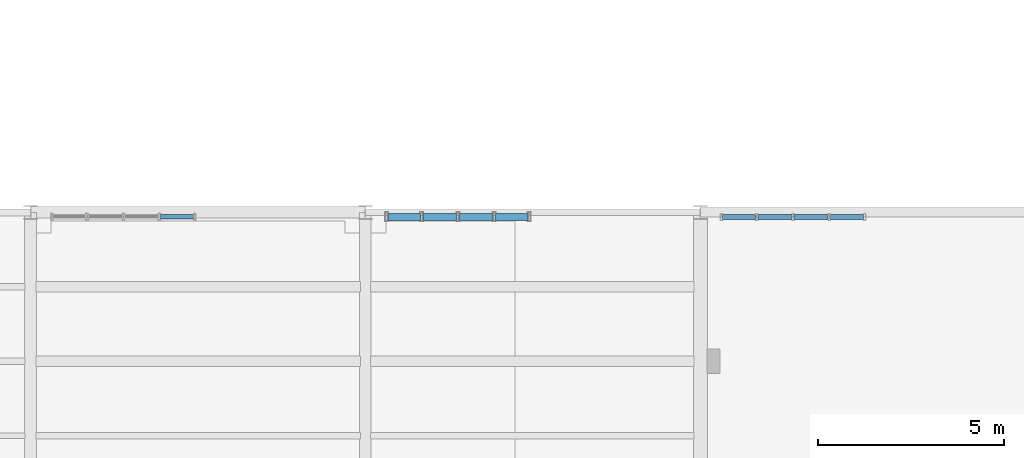
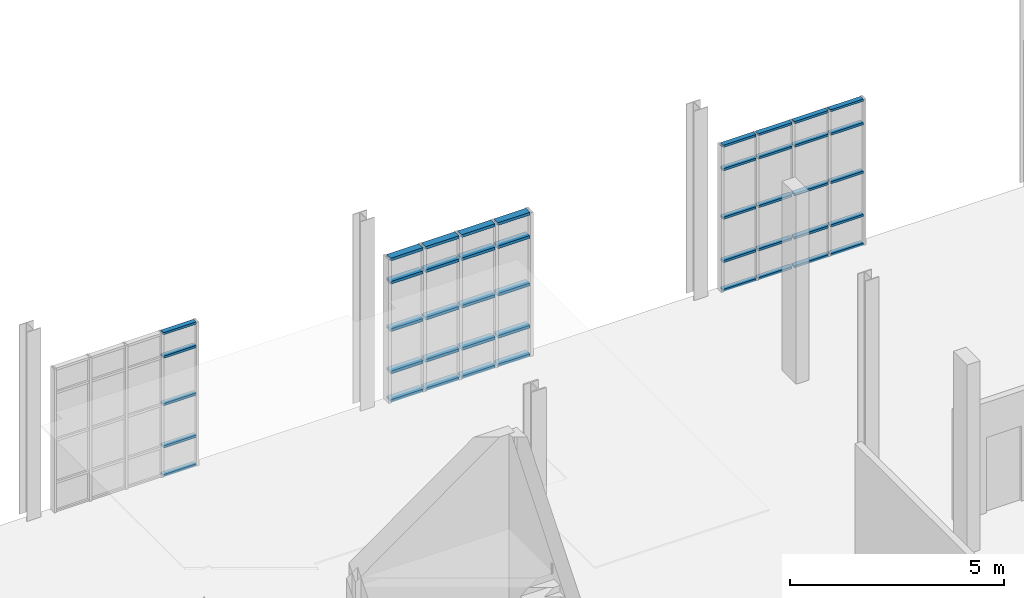
# One storey, part 140 of 189: 45 members, 3 elements without a shape of their own.
"""IFC4 building model written with IfcOpenShell, lengths in metres."""

from ifc_helpers import new_model, si_unit, direction, frame, origin, origin_2d, place, context, subcontext, project, spatial, hollow_rectangle, extrude, material, layer, layer_set, material_profile, profile_set, type_object, element, aggregate, save


model = new_model("IFC4")

# Units and contexts
model_context = context("Model", 3, precision=1e-05, world=origin(), true_north=direction((0.0, 1.0)))
body_context = subcontext(model_context, "Body", "Model", "MODEL_VIEW")
ifc_project = project(units=[si_unit("LENGTHUNIT", "METRE"), si_unit("AREAUNIT", "SQUARE_METRE"), si_unit("VOLUMEUNIT", "CUBIC_METRE"), si_unit("PLANEANGLEUNIT", "RADIAN"), si_unit("MASSUNIT", "GRAM", prefix="KILO"), si_unit("THERMODYNAMICTEMPERATUREUNIT", "KELVIN"), si_unit("POWERUNIT", "WATT")], contexts=[model_context])

# Site, building, storey
site_placement = place(None, origin())
site = spatial("IfcSite", under=ifc_project, at=site_placement, CompositionType="ELEMENT")
building_placement = place(site_placement, origin())
building = spatial("IfcBuilding", under=site, at=building_placement, Name="Zelmaris Science Centre", CompositionType="ELEMENT")
storey_placement = place(building_placement, origin())
storey = spatial("IfcBuildingStorey", under=building, at=storey_placement, Name="L00", CompositionType="ELEMENT", Elevation=0.0)

# Curtain wall, members
ifc_material = material(Name="Anodised architectural aluminium 6063-T6", Category="aluminium")
ifc_layer_1 = layer(ifc_material, 0.2099609375, Name="Anodised architectural aluminium 6063-T6")
ifc_layer_set_1 = layer_set([ifc_layer_1], Name="Anodised architectural aluminium 6063-T6")
curtain_wall_type_1 = type_object("IfcCurtainWallType", Name="Curtain Wall CW-03", PredefinedType="USERDEFINED", material=ifc_layer_set_1)
curtain_wall_1_placement = place(storey_placement, origin())
curtain_wall_1 = element("IfcCurtainWall", 1, at=curtain_wall_1_placement, inside=storey, type_object=curtain_wall_type_1, Name="L00 Unitised curtain wall 95", ObjectType="GLAZED CURTAIN WALL", PredefinedType="USERDEFINED")
ifc_material_profile_1 = material_profile(ifc_material, hollow_rectangle(XDim=0.06494140625, YDim=0.1298828125, WallThickness=0.00341796875, at=origin_2d()), Name="ALU-TRN-65X130")
ifc_profile_set_1 = profile_set([ifc_material_profile_1], Name="Anodised architectural aluminium 6063-T6")
member_type_1 = type_object("IfcMemberType", Name="ALU-TRN-65X130", PredefinedType="USERDEFINED", material=ifc_profile_set_1)
member_1_placement = place(storey_placement, frame((129.493408203125, 55.884521484375, 0.013427734375), z_axis=(0.999999962346, -0.0002744237, 0.0), x_axis=(0.0, 0.0, 1.0)))
member_1 = element("IfcMember", 2, at=member_1_placement, type_object=member_type_1, Name="CW-03 transom 4.1", ObjectType="TRANSOM", PredefinedType="USERDEFINED", context=body_context, shape_type="SweptSolid", body=[
    extrude(hollow_rectangle(XDim=0.06494140625, YDim=0.1298828125, WallThickness=0.00341796875, at=origin_2d()), origin(), (0.0, 0.0, 1.0), 0.8896484375),
])
member_2_placement = place(storey_placement, frame((129.493408203125, 55.884521484375, 0.8349609375), z_axis=(0.999999962346, -0.0002744237, 0.0), x_axis=(0.0, 0.0, 1.0)))
member_2 = element("IfcMember", 3, at=member_2_placement, type_object=member_type_1, Name="CW-03 transom 4.2", ObjectType="TRANSOM", PredefinedType="USERDEFINED", context=body_context, shape_type="SweptSolid", body=[
    extrude(hollow_rectangle(XDim=0.06494140625, YDim=0.1298828125, WallThickness=0.00341796875, at=origin_2d()), origin(), (0.0, 0.0, 1.0), 0.8896484375),
])
member_3_placement = place(storey_placement, frame((129.493408203125, 55.884521484375, 2.03955078125), z_axis=(0.999999962346, -0.0002744237, 0.0), x_axis=(0.0, 0.0, 1.0)))
member_3 = element("IfcMember", 4, at=member_3_placement, type_object=member_type_1, Name="CW-03 transom 4.3", ObjectType="TRANSOM", PredefinedType="USERDEFINED", context=body_context, shape_type="SweptSolid", body=[
    extrude(hollow_rectangle(XDim=0.06494140625, YDim=0.1298828125, WallThickness=0.00341796875, at=origin_2d()), origin(), (0.0, 0.0, 1.0), 0.8896484375),
])
member_4_placement = place(storey_placement, frame((129.493408203125, 55.884521484375, 3.39404296875), z_axis=(0.999999962346, -0.0002744237, 0.0), x_axis=(0.0, 0.0, 1.0)))
member_4 = element("IfcMember", 5, at=member_4_placement, type_object=member_type_1, Name="CW-03 transom 4.4", ObjectType="TRANSOM", PredefinedType="USERDEFINED", context=body_context, shape_type="SweptSolid", body=[
    extrude(hollow_rectangle(XDim=0.06494140625, YDim=0.1298828125, WallThickness=0.00341796875, at=origin_2d()), origin(), (0.0, 0.0, 1.0), 0.8896484375),
])
member_5_placement = place(storey_placement, frame((129.493408203125, 55.884521484375, 4.0654296875), z_axis=(0.999999962346, -0.0002744237, 0.0), x_axis=(0.0, 0.0, 1.0)))
member_5 = element("IfcMember", 6, at=member_5_placement, type_object=member_type_1, Name="CW-03 transom 4.5", ObjectType="TRANSOM", PredefinedType="USERDEFINED", context=body_context, shape_type="SweptSolid", body=[
    extrude(hollow_rectangle(XDim=0.06494140625, YDim=0.1298828125, WallThickness=0.00341796875, at=origin_2d()), origin(), (0.0, 0.0, 1.0), 0.8896484375),
])
aggregate(curtain_wall_1, [member_1, member_2, member_3, member_4, member_5])

curtain_wall_2_placement = place(storey_placement, origin())
curtain_wall_2 = element("IfcCurtainWall", 7, at=curtain_wall_2_placement, inside=storey, type_object=curtain_wall_type_1, Name="L00 Unitised curtain wall 99", ObjectType="GLAZED CURTAIN WALL", PredefinedType="USERDEFINED")
member_6_placement = place(storey_placement, frame((144.596923828125, 55.881591796875, 0.013427734375), z_axis=(0.999999962346, -0.0002744237, 0.0), x_axis=(0.0, 0.0, 1.0)))
member_6 = element("IfcMember", 8, at=member_6_placement, type_object=member_type_1, Name="CW-03 transom 1.1", ObjectType="TRANSOM", PredefinedType="USERDEFINED", context=body_context, shape_type="SweptSolid", body=[
    extrude(hollow_rectangle(XDim=0.06494140625, YDim=0.1298828125, WallThickness=0.00341796875, at=origin_2d()), origin(), (0.0, 0.0, 1.0), 0.8896484375),
])
member_7_placement = place(storey_placement, frame((144.596923828125, 55.881591796875, 0.8349609375), z_axis=(0.999999962346, -0.0002744237, 0.0), x_axis=(0.0, 0.0, 1.0)))
member_7 = element("IfcMember", 9, at=member_7_placement, type_object=member_type_1, Name="CW-03 transom 1.2", ObjectType="TRANSOM", PredefinedType="USERDEFINED", context=body_context, shape_type="SweptSolid", body=[
    extrude(hollow_rectangle(XDim=0.06494140625, YDim=0.1298828125, WallThickness=0.00341796875, at=origin_2d()), origin(), (0.0, 0.0, 1.0), 0.8896484375),
])
member_8_placement = place(storey_placement, frame((144.596923828125, 55.881591796875, 2.069091796875), z_axis=(0.999999962346, -0.0002744237, 0.0), x_axis=(0.0, 0.0, 1.0)))
member_8 = element("IfcMember", 10, at=member_8_placement, type_object=member_type_1, Name="CW-03 transom 1.3", ObjectType="TRANSOM", PredefinedType="USERDEFINED", context=body_context, shape_type="SweptSolid", body=[
    extrude(hollow_rectangle(XDim=0.06494140625, YDim=0.1298828125, WallThickness=0.00341796875, at=origin_2d()), origin(), (0.0, 0.0, 1.0), 0.8896484375),
])
member_9_placement = place(storey_placement, frame((144.596923828125, 55.881591796875, 3.452880859375), z_axis=(0.999999962346, -0.0002744237, 0.0), x_axis=(0.0, 0.0, 1.0)))
member_9 = element("IfcMember", 11, at=member_9_placement, type_object=member_type_1, Name="CW-03 transom 1.4", ObjectType="TRANSOM", PredefinedType="USERDEFINED", context=body_context, shape_type="SweptSolid", body=[
    extrude(hollow_rectangle(XDim=0.06494140625, YDim=0.1298828125, WallThickness=0.00341796875, at=origin_2d()), origin(), (0.0, 0.0, 1.0), 0.8896484375),
])
member_10_placement = place(storey_placement, frame((144.596923828125, 55.881591796875, 4.12451171875), z_axis=(0.999999962346, -0.0002744237, 0.0), x_axis=(0.0, 0.0, 1.0)))
member_10 = element("IfcMember", 12, at=member_10_placement, type_object=member_type_1, Name="CW-03 transom 1.5", ObjectType="TRANSOM", PredefinedType="USERDEFINED", context=body_context, shape_type="SweptSolid", body=[
    extrude(hollow_rectangle(XDim=0.06494140625, YDim=0.1298828125, WallThickness=0.00341796875, at=origin_2d()), origin(), (0.0, 0.0, 1.0), 0.8896484375),
])
member_11_placement = place(storey_placement, frame((145.54345703125, 55.88134765625, 0.013427734375), z_axis=(0.999999964633, -0.000265957437, 0.0), x_axis=(0.0, 0.0, 1.0)))
member_11 = element("IfcMember", 13, at=member_11_placement, type_object=member_type_1, Name="CW-03 transom 2.1", ObjectType="TRANSOM", PredefinedType="USERDEFINED", context=body_context, shape_type="SweptSolid", body=[
    extrude(hollow_rectangle(XDim=0.06494140625, YDim=0.1298828125, WallThickness=0.00341796875, at=origin_2d()), origin(), (0.0, 0.0, 1.0), 0.91796875),
])
member_12_placement = place(storey_placement, frame((145.54345703125, 55.88134765625, 0.8349609375), z_axis=(0.999999964633, -0.000265957437, 0.0), x_axis=(0.0, 0.0, 1.0)))
member_12 = element("IfcMember", 14, at=member_12_placement, type_object=member_type_1, Name="CW-03 transom 2.2", ObjectType="TRANSOM", PredefinedType="USERDEFINED", context=body_context, shape_type="SweptSolid", body=[
    extrude(hollow_rectangle(XDim=0.06494140625, YDim=0.1298828125, WallThickness=0.00341796875, at=origin_2d()), origin(), (0.0, 0.0, 1.0), 0.91796875),
])
member_13_placement = place(storey_placement, frame((145.54345703125, 55.88134765625, 2.069091796875), z_axis=(0.999999964633, -0.000265957437, 0.0), x_axis=(0.0, 0.0, 1.0)))
member_13 = element("IfcMember", 15, at=member_13_placement, type_object=member_type_1, Name="CW-03 transom 2.3", ObjectType="TRANSOM", PredefinedType="USERDEFINED", context=body_context, shape_type="SweptSolid", body=[
    extrude(hollow_rectangle(XDim=0.06494140625, YDim=0.1298828125, WallThickness=0.00341796875, at=origin_2d()), origin(), (0.0, 0.0, 1.0), 0.91796875),
])
member_14_placement = place(storey_placement, frame((145.54345703125, 55.88134765625, 3.452880859375), z_axis=(0.999999964633, -0.000265957437, 0.0), x_axis=(0.0, 0.0, 1.0)))
member_14 = element("IfcMember", 16, at=member_14_placement, type_object=member_type_1, Name="CW-03 transom 2.4", ObjectType="TRANSOM", PredefinedType="USERDEFINED", context=body_context, shape_type="SweptSolid", body=[
    extrude(hollow_rectangle(XDim=0.06494140625, YDim=0.1298828125, WallThickness=0.00341796875, at=origin_2d()), origin(), (0.0, 0.0, 1.0), 0.91796875),
])
member_15_placement = place(storey_placement, frame((145.54345703125, 55.88134765625, 4.12451171875), z_axis=(0.999999964633, -0.000265957437, 0.0), x_axis=(0.0, 0.0, 1.0)))
member_15 = element("IfcMember", 17, at=member_15_placement, type_object=member_type_1, Name="CW-03 transom 2.5", ObjectType="TRANSOM", PredefinedType="USERDEFINED", context=body_context, shape_type="SweptSolid", body=[
    extrude(hollow_rectangle(XDim=0.06494140625, YDim=0.1298828125, WallThickness=0.00341796875, at=origin_2d()), origin(), (0.0, 0.0, 1.0), 0.91796875),
])
member_16_placement = place(storey_placement, frame((146.5185546875, 55.881103515625, 0.013427734375), z_axis=(1.0, 0.0, 0.0), x_axis=(0.0, 0.0, 1.0)))
member_16 = element("IfcMember", 18, at=member_16_placement, type_object=member_type_1, Name="CW-03 transom 3.1", ObjectType="TRANSOM", PredefinedType="USERDEFINED", context=body_context, shape_type="SweptSolid", body=[
    extrude(hollow_rectangle(XDim=0.06494140625, YDim=0.1298828125, WallThickness=0.00341796875, at=origin_2d()), origin(), (0.0, 0.0, 1.0), 0.91796875),
])
member_17_placement = place(storey_placement, frame((146.5185546875, 55.881103515625, 0.8349609375), z_axis=(1.0, 0.0, 0.0), x_axis=(0.0, 0.0, 1.0)))
member_17 = element("IfcMember", 19, at=member_17_placement, type_object=member_type_1, Name="CW-03 transom 3.2", ObjectType="TRANSOM", PredefinedType="USERDEFINED", context=body_context, shape_type="SweptSolid", body=[
    extrude(hollow_rectangle(XDim=0.06494140625, YDim=0.1298828125, WallThickness=0.00341796875, at=origin_2d()), origin(), (0.0, 0.0, 1.0), 0.91796875),
])
member_18_placement = place(storey_placement, frame((146.5185546875, 55.881103515625, 2.069091796875), z_axis=(1.0, 0.0, 0.0), x_axis=(0.0, 0.0, 1.0)))
member_18 = element("IfcMember", 20, at=member_18_placement, type_object=member_type_1, Name="CW-03 transom 3.3", ObjectType="TRANSOM", PredefinedType="USERDEFINED", context=body_context, shape_type="SweptSolid", body=[
    extrude(hollow_rectangle(XDim=0.06494140625, YDim=0.1298828125, WallThickness=0.00341796875, at=origin_2d()), origin(), (0.0, 0.0, 1.0), 0.91796875),
])
member_19_placement = place(storey_placement, frame((146.5185546875, 55.881103515625, 3.452880859375), z_axis=(1.0, 0.0, 0.0), x_axis=(0.0, 0.0, 1.0)))
member_19 = element("IfcMember", 21, at=member_19_placement, type_object=member_type_1, Name="CW-03 transom 3.4", ObjectType="TRANSOM", PredefinedType="USERDEFINED", context=body_context, shape_type="SweptSolid", body=[
    extrude(hollow_rectangle(XDim=0.06494140625, YDim=0.1298828125, WallThickness=0.00341796875, at=origin_2d()), origin(), (0.0, 0.0, 1.0), 0.91796875),
])
member_20_placement = place(storey_placement, frame((146.5185546875, 55.881103515625, 4.12451171875), z_axis=(1.0, 0.0, 0.0), x_axis=(0.0, 0.0, 1.0)))
member_20 = element("IfcMember", 22, at=member_20_placement, type_object=member_type_1, Name="CW-03 transom 3.5", ObjectType="TRANSOM", PredefinedType="USERDEFINED", context=body_context, shape_type="SweptSolid", body=[
    extrude(hollow_rectangle(XDim=0.06494140625, YDim=0.1298828125, WallThickness=0.00341796875, at=origin_2d()), origin(), (0.0, 0.0, 1.0), 0.91796875),
])
member_21_placement = place(storey_placement, frame((147.493408203125, 55.881103515625, 0.013427734375), z_axis=(0.999999962346, -0.0002744237, 0.0), x_axis=(0.0, 0.0, 1.0)))
member_21 = element("IfcMember", 23, at=member_21_placement, type_object=member_type_1, Name="CW-03 transom 4.1", ObjectType="TRANSOM", PredefinedType="USERDEFINED", context=body_context, shape_type="SweptSolid", body=[
    extrude(hollow_rectangle(XDim=0.06494140625, YDim=0.1298828125, WallThickness=0.00341796875, at=origin_2d()), origin(), (0.0, 0.0, 1.0), 0.8896484375),
])
member_22_placement = place(storey_placement, frame((147.493408203125, 55.881103515625, 0.8349609375), z_axis=(0.999999962346, -0.0002744237, 0.0), x_axis=(0.0, 0.0, 1.0)))
member_22 = element("IfcMember", 24, at=member_22_placement, type_object=member_type_1, Name="CW-03 transom 4.2", ObjectType="TRANSOM", PredefinedType="USERDEFINED", context=body_context, shape_type="SweptSolid", body=[
    extrude(hollow_rectangle(XDim=0.06494140625, YDim=0.1298828125, WallThickness=0.00341796875, at=origin_2d()), origin(), (0.0, 0.0, 1.0), 0.8896484375),
])
member_23_placement = place(storey_placement, frame((147.493408203125, 55.881103515625, 2.069091796875), z_axis=(0.999999962346, -0.0002744237, 0.0), x_axis=(0.0, 0.0, 1.0)))
member_23 = element("IfcMember", 25, at=member_23_placement, type_object=member_type_1, Name="CW-03 transom 4.3", ObjectType="TRANSOM", PredefinedType="USERDEFINED", context=body_context, shape_type="SweptSolid", body=[
    extrude(hollow_rectangle(XDim=0.06494140625, YDim=0.1298828125, WallThickness=0.00341796875, at=origin_2d()), origin(), (0.0, 0.0, 1.0), 0.8896484375),
])
member_24_placement = place(storey_placement, frame((147.493408203125, 55.881103515625, 3.452880859375), z_axis=(0.999999962346, -0.0002744237, 0.0), x_axis=(0.0, 0.0, 1.0)))
member_24 = element("IfcMember", 26, at=member_24_placement, type_object=member_type_1, Name="CW-03 transom 4.4", ObjectType="TRANSOM", PredefinedType="USERDEFINED", context=body_context, shape_type="SweptSolid", body=[
    extrude(hollow_rectangle(XDim=0.06494140625, YDim=0.1298828125, WallThickness=0.00341796875, at=origin_2d()), origin(), (0.0, 0.0, 1.0), 0.8896484375),
])
member_25_placement = place(storey_placement, frame((147.493408203125, 55.881103515625, 4.12451171875), z_axis=(0.999999962346, -0.0002744237, 0.0), x_axis=(0.0, 0.0, 1.0)))
member_25 = element("IfcMember", 27, at=member_25_placement, type_object=member_type_1, Name="CW-03 transom 4.5", ObjectType="TRANSOM", PredefinedType="USERDEFINED", context=body_context, shape_type="SweptSolid", body=[
    extrude(hollow_rectangle(XDim=0.06494140625, YDim=0.1298828125, WallThickness=0.00341796875, at=origin_2d()), origin(), (0.0, 0.0, 1.0), 0.8896484375),
])
aggregate(curtain_wall_2, [member_6, member_7, member_8, member_9, member_10, member_11, member_12, member_13, member_14, member_15, member_16, member_17, member_18, member_19, member_20, member_21, member_22, member_23, member_24, member_25])

ifc_layer_2 = layer(ifc_material, 0.18994140625, Name="Anodised architectural aluminium 6063-T6")
ifc_layer_set_2 = layer_set([ifc_layer_2], Name="Anodised architectural aluminium 6063-T6")
curtain_wall_type_2 = type_object("IfcCurtainWallType", Name="Curtain Wall CW-01", PredefinedType="USERDEFINED", material=ifc_layer_set_2)
curtain_wall_3_placement = place(storey_placement, origin())
curtain_wall_3 = element("IfcCurtainWall", 28, at=curtain_wall_3_placement, inside=storey, type_object=curtain_wall_type_2, Name="L00 Unitised curtain wall 97", ObjectType="GLAZED CURTAIN WALL", PredefinedType="USERDEFINED")
ifc_material_profile_2 = material_profile(ifc_material, hollow_rectangle(XDim=0.080078125, YDim=0.18994140625, WallThickness=0.00439453125, at=origin_2d()), Name="ALU-TRN-80X190")
ifc_profile_set_2 = profile_set([ifc_material_profile_2], Name="Anodised architectural aluminium 6063-T6")
member_type_2 = type_object("IfcMemberType", Name="ALU-TRN-80X190", PredefinedType="USERDEFINED", material=ifc_profile_set_2)
member_26_placement = place(storey_placement, frame((135.612060546875, 55.88330078125, 0.02099609375), z_axis=(0.999999960348, -0.000281610803, 0.0), x_axis=(0.0, 0.0, 1.0)))
member_26 = element("IfcMember", 29, at=member_26_placement, type_object=member_type_2, Name="CW-01 transom 1.1", ObjectType="TRANSOM", PredefinedType="USERDEFINED", context=body_context, shape_type="SweptSolid", body=[
    extrude(hollow_rectangle(XDim=0.080078125, YDim=0.18994140625, WallThickness=0.00439453125, at=origin_2d()), origin(), (0.0, 0.0, 1.0), 0.866943359375),
])
member_27_placement = place(storey_placement, frame((135.612060546875, 55.88330078125, 0.8349609375), z_axis=(0.999999960348, -0.000281610803, 0.0), x_axis=(0.0, 0.0, 1.0)))
member_27 = element("IfcMember", 30, at=member_27_placement, type_object=member_type_2, Name="CW-01 transom 1.2", ObjectType="TRANSOM", PredefinedType="USERDEFINED", context=body_context, shape_type="SweptSolid", body=[
    extrude(hollow_rectangle(XDim=0.080078125, YDim=0.18994140625, WallThickness=0.00439453125, at=origin_2d()), origin(), (0.0, 0.0, 1.0), 0.866943359375),
])
member_28_placement = place(storey_placement, frame((135.612060546875, 55.88330078125, 2.03955078125), z_axis=(0.999999960348, -0.000281610803, 0.0), x_axis=(0.0, 0.0, 1.0)))
member_28 = element("IfcMember", 31, at=member_28_placement, type_object=member_type_2, Name="CW-01 transom 1.3", ObjectType="TRANSOM", PredefinedType="USERDEFINED", context=body_context, shape_type="SweptSolid", body=[
    extrude(hollow_rectangle(XDim=0.080078125, YDim=0.18994140625, WallThickness=0.00439453125, at=origin_2d()), origin(), (0.0, 0.0, 1.0), 0.866943359375),
])
member_29_placement = place(storey_placement, frame((135.612060546875, 55.88330078125, 3.39404296875), z_axis=(0.999999960348, -0.000281610803, 0.0), x_axis=(0.0, 0.0, 1.0)))
member_29 = element("IfcMember", 32, at=member_29_placement, type_object=member_type_2, Name="CW-01 transom 1.4", ObjectType="TRANSOM", PredefinedType="USERDEFINED", context=body_context, shape_type="SweptSolid", body=[
    extrude(hollow_rectangle(XDim=0.080078125, YDim=0.18994140625, WallThickness=0.00439453125, at=origin_2d()), origin(), (0.0, 0.0, 1.0), 0.866943359375),
])
member_30_placement = place(storey_placement, frame((135.612060546875, 55.88330078125, 4.05810546875), z_axis=(0.999999960348, -0.000281610803, 0.0), x_axis=(0.0, 0.0, 1.0)))
member_30 = element("IfcMember", 33, at=member_30_placement, type_object=member_type_2, Name="CW-01 transom 1.5", ObjectType="TRANSOM", PredefinedType="USERDEFINED", context=body_context, shape_type="SweptSolid", body=[
    extrude(hollow_rectangle(XDim=0.080078125, YDim=0.18994140625, WallThickness=0.00439453125, at=origin_2d()), origin(), (0.0, 0.0, 1.0), 0.866943359375),
])
member_31_placement = place(storey_placement, frame((136.551025390625, 55.883056640625, 0.02099609375), z_axis=(1.0, 0.0, 0.0), x_axis=(0.0, 0.0, 1.0)))
member_31 = element("IfcMember", 34, at=member_31_placement, type_object=member_type_2, Name="CW-01 transom 2.1", ObjectType="TRANSOM", PredefinedType="USERDEFINED", context=body_context, shape_type="SweptSolid", body=[
    extrude(hollow_rectangle(XDim=0.080078125, YDim=0.18994140625, WallThickness=0.00439453125, at=origin_2d()), origin(), (0.0, 0.0, 1.0), 0.903076171875),
])
member_32_placement = place(storey_placement, frame((136.551025390625, 55.883056640625, 0.8349609375), z_axis=(1.0, 0.0, 0.0), x_axis=(0.0, 0.0, 1.0)))
member_32 = element("IfcMember", 35, at=member_32_placement, type_object=member_type_2, Name="CW-01 transom 2.2", ObjectType="TRANSOM", PredefinedType="USERDEFINED", context=body_context, shape_type="SweptSolid", body=[
    extrude(hollow_rectangle(XDim=0.080078125, YDim=0.18994140625, WallThickness=0.00439453125, at=origin_2d()), origin(), (0.0, 0.0, 1.0), 0.903076171875),
])
member_33_placement = place(storey_placement, frame((136.551025390625, 55.883056640625, 2.03955078125), z_axis=(1.0, 0.0, 0.0), x_axis=(0.0, 0.0, 1.0)))
member_33 = element("IfcMember", 36, at=member_33_placement, type_object=member_type_2, Name="CW-01 transom 2.3", ObjectType="TRANSOM", PredefinedType="USERDEFINED", context=body_context, shape_type="SweptSolid", body=[
    extrude(hollow_rectangle(XDim=0.080078125, YDim=0.18994140625, WallThickness=0.00439453125, at=origin_2d()), origin(), (0.0, 0.0, 1.0), 0.903076171875),
])
member_34_placement = place(storey_placement, frame((136.551025390625, 55.883056640625, 3.39404296875), z_axis=(1.0, 0.0, 0.0), x_axis=(0.0, 0.0, 1.0)))
member_34 = element("IfcMember", 37, at=member_34_placement, type_object=member_type_2, Name="CW-01 transom 2.4", ObjectType="TRANSOM", PredefinedType="USERDEFINED", context=body_context, shape_type="SweptSolid", body=[
    extrude(hollow_rectangle(XDim=0.080078125, YDim=0.18994140625, WallThickness=0.00439453125, at=origin_2d()), origin(), (0.0, 0.0, 1.0), 0.903076171875),
])
member_35_placement = place(storey_placement, frame((136.551025390625, 55.883056640625, 4.05810546875), z_axis=(1.0, 0.0, 0.0), x_axis=(0.0, 0.0, 1.0)))
member_35 = element("IfcMember", 38, at=member_35_placement, type_object=member_type_2, Name="CW-01 transom 2.5", ObjectType="TRANSOM", PredefinedType="USERDEFINED", context=body_context, shape_type="SweptSolid", body=[
    extrude(hollow_rectangle(XDim=0.080078125, YDim=0.18994140625, WallThickness=0.00439453125, at=origin_2d()), origin(), (0.0, 0.0, 1.0), 0.903076171875),
])
member_36_placement = place(storey_placement, frame((137.52587890625, 55.883056640625, 0.02099609375), z_axis=(0.999999963457, -0.000270343326, 0.0), x_axis=(0.0, 0.0, 1.0)))
member_36 = element("IfcMember", 39, at=member_36_placement, type_object=member_type_2, Name="CW-01 transom 3.1", ObjectType="TRANSOM", PredefinedType="USERDEFINED", context=body_context, shape_type="SweptSolid", body=[
    extrude(hollow_rectangle(XDim=0.080078125, YDim=0.18994140625, WallThickness=0.00439453125, at=origin_2d()), origin(), (0.0, 0.0, 1.0), 0.903076171875),
])
member_37_placement = place(storey_placement, frame((137.52587890625, 55.883056640625, 0.8349609375), z_axis=(0.999999963457, -0.000270343326, 0.0), x_axis=(0.0, 0.0, 1.0)))
member_37 = element("IfcMember", 40, at=member_37_placement, type_object=member_type_2, Name="CW-01 transom 3.2", ObjectType="TRANSOM", PredefinedType="USERDEFINED", context=body_context, shape_type="SweptSolid", body=[
    extrude(hollow_rectangle(XDim=0.080078125, YDim=0.18994140625, WallThickness=0.00439453125, at=origin_2d()), origin(), (0.0, 0.0, 1.0), 0.903076171875),
])
member_38_placement = place(storey_placement, frame((137.52587890625, 55.883056640625, 2.03955078125), z_axis=(0.999999963457, -0.000270343326, 0.0), x_axis=(0.0, 0.0, 1.0)))
member_38 = element("IfcMember", 41, at=member_38_placement, type_object=member_type_2, Name="CW-01 transom 3.3", ObjectType="TRANSOM", PredefinedType="USERDEFINED", context=body_context, shape_type="SweptSolid", body=[
    extrude(hollow_rectangle(XDim=0.080078125, YDim=0.18994140625, WallThickness=0.00439453125, at=origin_2d()), origin(), (0.0, 0.0, 1.0), 0.903076171875),
])
member_39_placement = place(storey_placement, frame((137.52587890625, 55.883056640625, 3.39404296875), z_axis=(0.999999963457, -0.000270343326, 0.0), x_axis=(0.0, 0.0, 1.0)))
member_39 = element("IfcMember", 42, at=member_39_placement, type_object=member_type_2, Name="CW-01 transom 3.4", ObjectType="TRANSOM", PredefinedType="USERDEFINED", context=body_context, shape_type="SweptSolid", body=[
    extrude(hollow_rectangle(XDim=0.080078125, YDim=0.18994140625, WallThickness=0.00439453125, at=origin_2d()), origin(), (0.0, 0.0, 1.0), 0.903076171875),
])
member_40_placement = place(storey_placement, frame((137.52587890625, 55.883056640625, 4.05810546875), z_axis=(0.999999963457, -0.000270343326, 0.0), x_axis=(0.0, 0.0, 1.0)))
member_40 = element("IfcMember", 43, at=member_40_placement, type_object=member_type_2, Name="CW-01 transom 3.5", ObjectType="TRANSOM", PredefinedType="USERDEFINED", context=body_context, shape_type="SweptSolid", body=[
    extrude(hollow_rectangle(XDim=0.080078125, YDim=0.18994140625, WallThickness=0.00439453125, at=origin_2d()), origin(), (0.0, 0.0, 1.0), 0.903076171875),
])
member_41_placement = place(storey_placement, frame((138.5009765625, 55.8828125, 0.02099609375), z_axis=(0.999999960348, -0.000281610803, 0.0), x_axis=(0.0, 0.0, 1.0)))
member_41 = element("IfcMember", 44, at=member_41_placement, type_object=member_type_2, Name="CW-01 transom 4.1", ObjectType="TRANSOM", PredefinedType="USERDEFINED", context=body_context, shape_type="SweptSolid", body=[
    extrude(hollow_rectangle(XDim=0.080078125, YDim=0.18994140625, WallThickness=0.00439453125, at=origin_2d()), origin(), (0.0, 0.0, 1.0), 0.866943359375),
])
member_42_placement = place(storey_placement, frame((138.5009765625, 55.8828125, 0.8349609375), z_axis=(0.999999960348, -0.000281610803, 0.0), x_axis=(0.0, 0.0, 1.0)))
member_42 = element("IfcMember", 45, at=member_42_placement, type_object=member_type_2, Name="CW-01 transom 4.2", ObjectType="TRANSOM", PredefinedType="USERDEFINED", context=body_context, shape_type="SweptSolid", body=[
    extrude(hollow_rectangle(XDim=0.080078125, YDim=0.18994140625, WallThickness=0.00439453125, at=origin_2d()), origin(), (0.0, 0.0, 1.0), 0.866943359375),
])
member_43_placement = place(storey_placement, frame((138.5009765625, 55.8828125, 2.03955078125), z_axis=(0.999999960348, -0.000281610803, 0.0), x_axis=(0.0, 0.0, 1.0)))
member_43 = element("IfcMember", 46, at=member_43_placement, type_object=member_type_2, Name="CW-01 transom 4.3", ObjectType="TRANSOM", PredefinedType="USERDEFINED", context=body_context, shape_type="SweptSolid", body=[
    extrude(hollow_rectangle(XDim=0.080078125, YDim=0.18994140625, WallThickness=0.00439453125, at=origin_2d()), origin(), (0.0, 0.0, 1.0), 0.866943359375),
])
member_44_placement = place(storey_placement, frame((138.5009765625, 55.8828125, 3.39404296875), z_axis=(0.999999960348, -0.000281610803, 0.0), x_axis=(0.0, 0.0, 1.0)))
member_44 = element("IfcMember", 47, at=member_44_placement, type_object=member_type_2, Name="CW-01 transom 4.4", ObjectType="TRANSOM", PredefinedType="USERDEFINED", context=body_context, shape_type="SweptSolid", body=[
    extrude(hollow_rectangle(XDim=0.080078125, YDim=0.18994140625, WallThickness=0.00439453125, at=origin_2d()), origin(), (0.0, 0.0, 1.0), 0.866943359375),
])
member_45_placement = place(storey_placement, frame((138.5009765625, 55.8828125, 4.05810546875), z_axis=(0.999999960348, -0.000281610803, 0.0), x_axis=(0.0, 0.0, 1.0)))
member_45 = element("IfcMember", 48, at=member_45_placement, type_object=member_type_2, Name="CW-01 transom 4.5", ObjectType="TRANSOM", PredefinedType="USERDEFINED", context=body_context, shape_type="SweptSolid", body=[
    extrude(hollow_rectangle(XDim=0.080078125, YDim=0.18994140625, WallThickness=0.00439453125, at=origin_2d()), origin(), (0.0, 0.0, 1.0), 0.866943359375),
])
aggregate(curtain_wall_3, [member_26, member_27, member_28, member_29, member_30, member_31, member_32, member_33, member_34, member_35, member_36, member_37, member_38, member_39, member_40, member_41, member_42, member_43, member_44, member_45])

save(model, "model.ifc")
